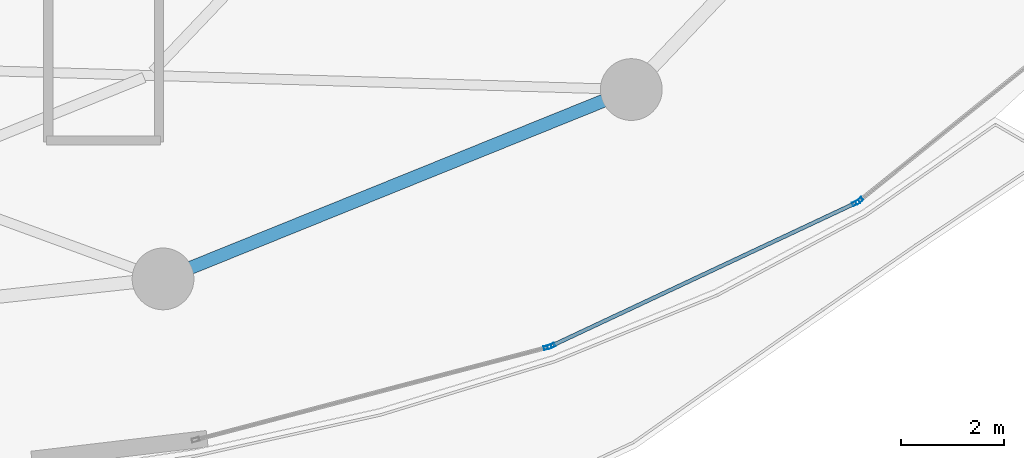
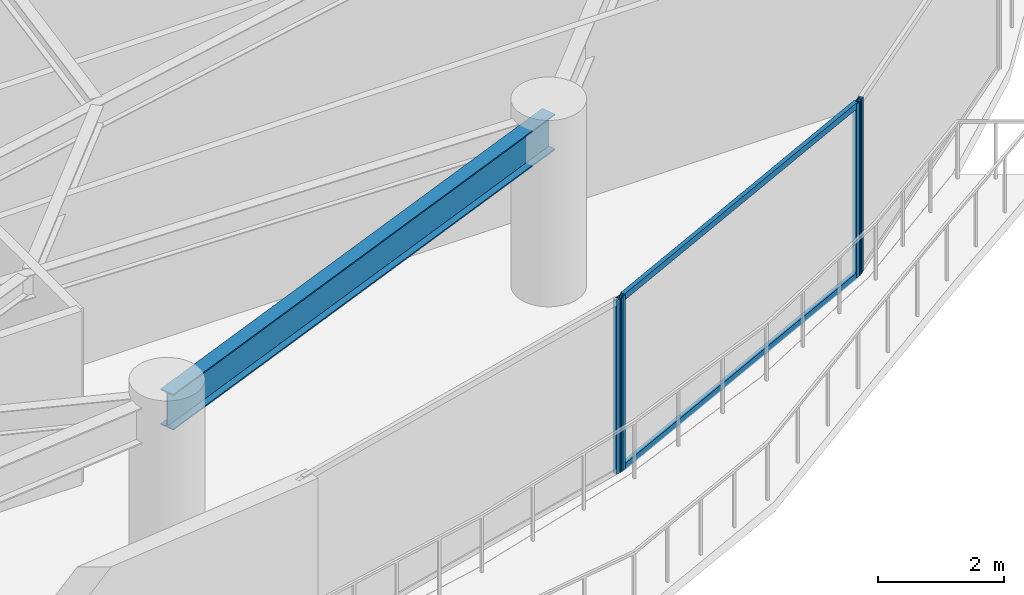
# One storey, part 14 of 34: 6 members, 1 beam, 3 elements without a shape of their own.
"""IFC4 building model written with IfcOpenShell, lengths in metres."""

from ifc_helpers import new_model, si_unit, direction, frame, origin, origin_2d, place, context, subcontext, project, spatial, hollow_rectangle, i_section, extrude, material, layer, layer_set, material_profile, profile_set, type_object, element, aggregate, save


model = new_model("IFC4")

# Units and contexts
model_context = context("Model", 3, precision=1e-05, world=origin(), true_north=direction((0.0, 1.0)))
body_context = subcontext(model_context, "Body", "Model", "MODEL_VIEW")
ifc_project = project(units=[si_unit("LENGTHUNIT", "METRE"), si_unit("AREAUNIT", "SQUARE_METRE"), si_unit("VOLUMEUNIT", "CUBIC_METRE"), si_unit("PLANEANGLEUNIT", "RADIAN"), si_unit("MASSUNIT", "GRAM", prefix="KILO")], contexts=[model_context])

# Site, building, storey
site_placement = place(None, origin())
site = spatial("IfcSite", under=ifc_project, at=site_placement, CompositionType="ELEMENT")
building_placement = place(site_placement, origin())
building = spatial("IfcBuilding", under=site, at=building_placement, Name="Kazevale Care Tower and Concert Hall", CompositionType="ELEMENT")
storey_placement = place(building_placement, frame((0.0, 0.0, 171.0)))
storey = spatial("IfcBuildingStorey", under=building, at=storey_placement, Name="L45", CompositionType="ELEMENT", Elevation=171.0)

# Curtain wall, member
ifc_material_1 = material(Name="Aluminium 6063-T6 and Low-E Glass", Category="aluminium")
ifc_layer = layer(ifc_material_1, 0.179931640625)
ifc_layer_set = layer_set([ifc_layer], Name="Aluminium 6063-T6 and Low-E Glass")
curtain_wall_type = type_object("IfcCurtainWallType", Name="Sheltered Concave Balcony Curtain Wall CW-5", PredefinedType="NOTDEFINED", material=ifc_layer_set)
curtain_wall_1_placement = place(storey_placement, origin())
curtain_wall_1 = element("IfcCurtainWall", 1, at=curtain_wall_1_placement, inside=storey, type_object=curtain_wall_type, Name="cw:L45:f02", PredefinedType="NOTDEFINED")
ifc_material_2 = material(Name="Aluminium 6063-T6", Category="aluminium")
ifc_material_profile_1 = material_profile(ifc_material_2, hollow_rectangle(XDim=0.074951171875, YDim=0.14990234375, WallThickness=0.00390625, at=origin_2d()), Name="ALU75x150x4")
ifc_profile_set_1 = profile_set([ifc_material_profile_1], Name="Aluminium 6063-T6")
member_type_1 = type_object("IfcMemberType", Name="CW-5 Mullion ALU75x150x4", PredefinedType="MULLION", material=ifc_profile_set_1)
member_1_placement = place(storey_placement, frame((69.25927734375, 20.826416015625, 0.0), z_axis=(0.0, 0.0, 1.0), x_axis=(0.626905357502, -0.779095419531, 0.0)))
member_1 = element("IfcMember", 2, at=member_1_placement, type_object=member_type_1, Name="CW-5 mullion 2", PredefinedType="MULLION", context=body_context, shape_type="SweptSolid", body=[
    extrude(hollow_rectangle(XDim=0.074951171875, YDim=0.14990234375, WallThickness=0.00390625, at=origin_2d()), origin(), (0.0, 0.0, 1.0), 3.360107421875),
])
aggregate(curtain_wall_1, [member_1])

# Curtain wall, members
curtain_wall_2_placement = place(storey_placement, origin())
curtain_wall_2 = element("IfcCurtainWall", 3, at=curtain_wall_2_placement, inside=storey, type_object=curtain_wall_type, Name="cw:L45:f03", PredefinedType="NOTDEFINED")
member_2_placement = place(storey_placement, frame((69.196044921875, 20.787109375, 0.0), z_axis=(0.0, 0.0, 1.0), x_axis=(0.425010766963, -0.905188294205, 0.0)))
member_2 = element("IfcMember", 4, at=member_2_placement, type_object=member_type_1, Name="CW-5 mullion 1", PredefinedType="MULLION", context=body_context, shape_type="SweptSolid", body=[
    extrude(hollow_rectangle(XDim=0.074951171875, YDim=0.14990234375, WallThickness=0.00390625, at=origin_2d()), origin(), (0.0, 0.0, 1.0), 3.360107421875),
])
member_3_placement = place(storey_placement, frame((63.27490234375, 18.0068359375, 0.0), z_axis=(0.0, 0.0, 1.0), x_axis=(0.425010766963, -0.905188294205, 0.0)))
member_3 = element("IfcMember", 5, at=member_3_placement, type_object=member_type_1, Name="CW-5 mullion 2", PredefinedType="MULLION", context=body_context, shape_type="SweptSolid", body=[
    extrude(hollow_rectangle(XDim=0.074951171875, YDim=0.14990234375, WallThickness=0.00390625, at=origin_2d()), origin(), (0.0, 0.0, 1.0), 3.360107421875),
])

# Curtain wall, member
curtain_wall_3_placement = place(storey_placement, origin())
curtain_wall_3 = element("IfcCurtainWall", 6, at=curtain_wall_3_placement, inside=storey, type_object=curtain_wall_type, Name="cw:L45:f04", PredefinedType="NOTDEFINED")
member_4_placement = place(storey_placement, frame((63.204833984375, 17.9814453125, 0.0), z_axis=(0.0, 0.0, 1.0), x_axis=(0.254238458229, -0.967141564797, 0.0)))
member_4 = element("IfcMember", 7, at=member_4_placement, type_object=member_type_1, Name="CW-5 mullion 1", PredefinedType="MULLION", context=body_context, shape_type="SweptSolid", body=[
    extrude(hollow_rectangle(XDim=0.074951171875, YDim=0.14990234375, WallThickness=0.00390625, at=origin_2d()), origin(), (0.0, 0.0, 1.0), 3.360107421875),
])
aggregate(curtain_wall_3, [member_4])

# Member
ifc_material_profile_2 = material_profile(ifc_material_2, hollow_rectangle(XDim=0.074951171875, YDim=0.1201171875, WallThickness=0.00390625, at=origin_2d()), Name="ALU75x120x4")
ifc_profile_set_2 = profile_set([ifc_material_profile_2], Name="Aluminium 6063-T6")
member_type_2 = type_object("IfcMemberType", Name="CW-5 Transom ALU75x120x4", PredefinedType="USERDEFINED", material=ifc_profile_set_2)
member_5_placement = place(storey_placement, frame((69.162109375, 20.771240234375, 0.03759765625), z_axis=(-0.90518714704, -0.425013210187, 0.0), x_axis=(0.425013210187, -0.90518714704, 0.0)))
member_5 = element("IfcMember", 8, at=member_5_placement, type_object=member_type_2, Name="CW-5 transom 1.1", ObjectType="TRANSOM", PredefinedType="USERDEFINED", context=body_context, shape_type="SweptSolid", body=[
    extrude(hollow_rectangle(XDim=0.074951171875, YDim=0.1201171875, WallThickness=0.00390625, at=origin_2d()), origin(), (0.0, 0.0, 1.0), 6.46630859375),
])

member_6_placement = place(storey_placement, frame((69.162109375, 20.771240234375, 3.322509765625), z_axis=(-0.90518714704, -0.425013210187, 0.0), x_axis=(0.425013210187, -0.90518714704, 0.0)))
member_6 = element("IfcMember", 9, at=member_6_placement, type_object=member_type_2, Name="CW-5 transom 1.2", ObjectType="TRANSOM", PredefinedType="USERDEFINED", context=body_context, shape_type="SweptSolid", body=[
    extrude(hollow_rectangle(XDim=0.074951171875, YDim=0.1201171875, WallThickness=0.00390625, at=origin_2d()), origin(), (0.0, 0.0, 1.0), 6.46630859375),
])

aggregate(curtain_wall_2, [member_2, member_3, member_5, member_6])

# Beam
ifc_material_3 = material(Name="Steel ASTM A572 Gr 50", Category="steel")
ifc_material_profile_3 = material_profile(ifc_material_3, i_section(OverallWidth=0.256103515625, OverallDepth=0.693115234375, WebThickness=0.014404296875, FlangeThickness=0.023681640625, at=origin_2d()), Name="W690x170")
ifc_profile_set_3 = profile_set([ifc_material_profile_3], Name="Steel ASTM A572 Gr 50")
beam_type = type_object("IfcBeamType", Name="Waist Ring Beam W690x170", PredefinedType="BEAM", material=ifc_profile_set_3)
beam_placement = place(storey_placement, frame((55.72998046875, 19.31005859375, 3.013427734375), z_axis=(0.927068687828, 0.374891515041, 0.0), x_axis=(-0.374891515041, 0.927068687828, 0.0)))
element("IfcBeam", 10, at=beam_placement, inside=storey, type_object=beam_type, Name="beam:L45:ring:14", PredefinedType="BEAM", context=body_context, shape_type="SweptSolid", body=[
    extrude(i_section(OverallWidth=0.256103515625, OverallDepth=0.693115234375, WebThickness=0.014404296875, FlangeThickness=0.023681640625, at=origin_2d()), origin(), (0.0, 0.0, 1.0), 9.81591796875),
])

save(model, "model.ifc")
